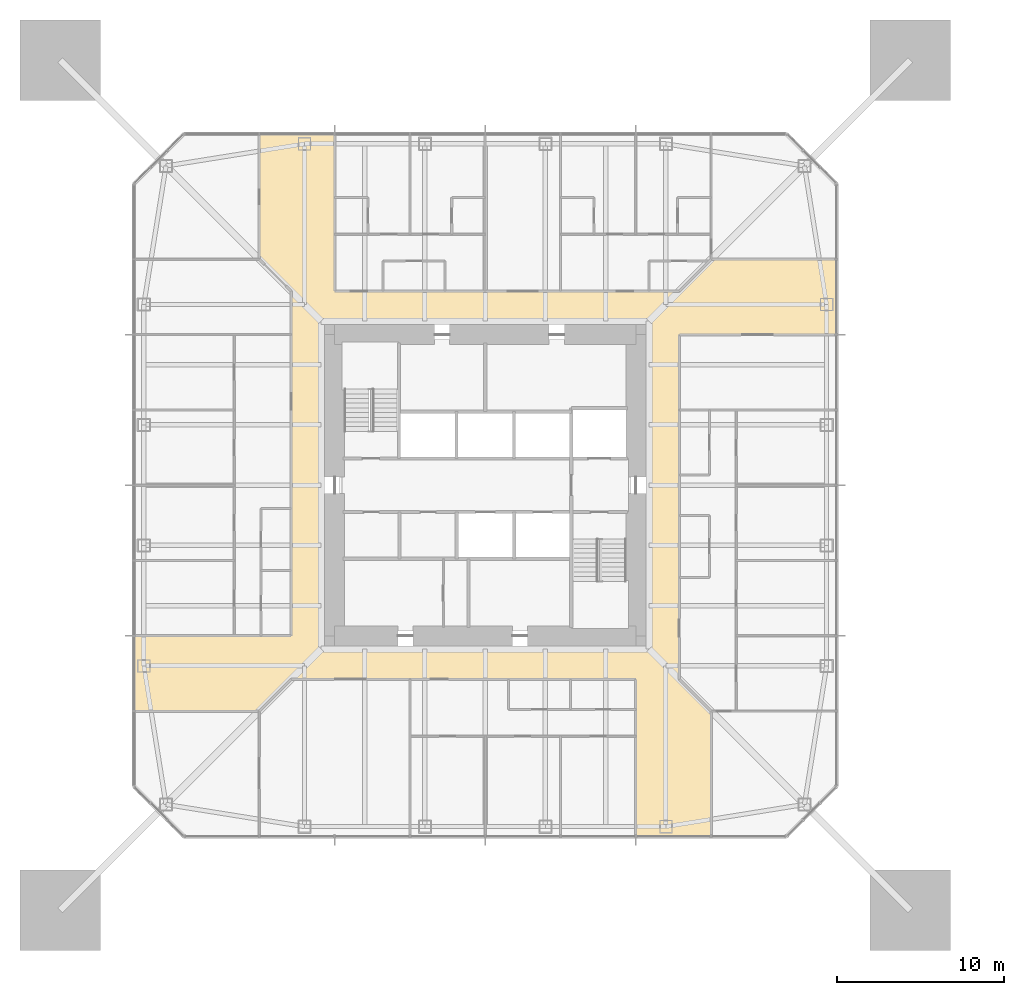
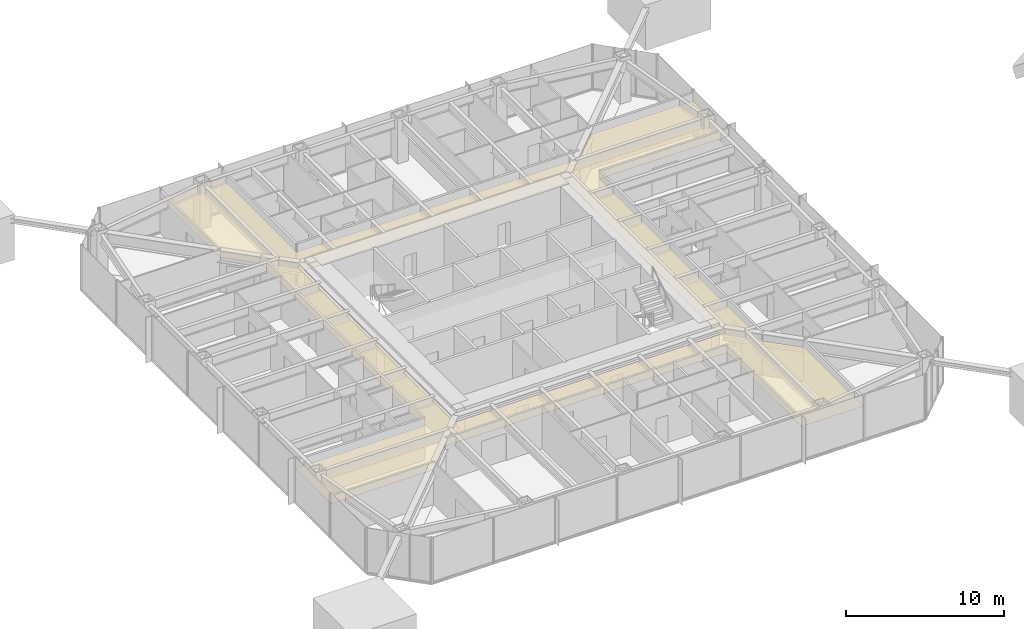
# One storey, part 22 of 25: 1 covering.
"""IFC4 building model written with IfcOpenShell, lengths in metres."""

from ifc_helpers import new_model, si_unit, direction, frame, origin, place, context, subcontext, project, spatial, polyline, outline, extrude, material, layer, layer_set, type_object, element, save


model = new_model("IFC4")

# Units and contexts
model_context = context("Model", 3, precision=1e-05, world=origin(), true_north=direction((0.0, 1.0)))
body_context = subcontext(model_context, "Body", "Model", "MODEL_VIEW")
ifc_project = project(units=[si_unit("LENGTHUNIT", "METRE"), si_unit("AREAUNIT", "SQUARE_METRE"), si_unit("VOLUMEUNIT", "CUBIC_METRE"), si_unit("PLANEANGLEUNIT", "RADIAN"), si_unit("MASSUNIT", "GRAM", prefix="KILO")], contexts=[model_context])

# Site, building, storey
site_placement = place(None, origin())
site = spatial("IfcSite", under=ifc_project, at=site_placement, CompositionType="ELEMENT")
building_placement = place(site_placement, origin())
building = spatial("IfcBuilding", under=site, at=building_placement, Name="Iwan Alto Co-Living Towers", CompositionType="ELEMENT")
storey_placement = place(building_placement, frame((0.0, 0.0, 108.5)))
storey = spatial("IfcBuildingStorey", under=building, at=storey_placement, Name="L29", CompositionType="ELEMENT", Elevation=108.5)

# Covering
ifc_material = material(Name="Gypsum plasterboard on steel grid", Category="steel")
ifc_layer = layer(ifc_material, 0.014892578125)
ifc_layer_set = layer_set([ifc_layer], Name="SUSPENDED PLASTERBOARD CEILING 15")
covering_type = type_object("IfcCoveringType", Name="SUSPENDED PLASTERBOARD CEILING 15", PredefinedType="CEILING", material=ifc_layer_set)
covering_placement = place(storey_placement, frame((0.0, 0.0, 2.60009765625)))
element("IfcCovering", 1, at=covering_placement, inside=storey, type_object=covering_type, Name="Ceiling Corridor L29", PredefinedType="CEILING", context=body_context, shape_type="SweptSolid", body=[
    extrude(outline(polyline([(13.5, -21.0), (9.0, -21.0), (9.0, -11.60009765625), (-11.60009765625, -11.60009765625), (-13.5, -13.5), (-21.0, -13.5), (-21.0, -9.0), (-11.60009765625, -9.0), (-11.60009765625, 11.60009765625), (-13.5, 13.5), (-13.5, 21.0), (-9.0, 21.0), (-9.0, 11.60009765625), (11.60009765625, 11.60009765625), (13.5, 13.5), (21.0, 13.5), (21.0, 9.0), (11.60009765625, 9.0), (11.60009765625, -11.60009765625), (13.5, -13.5), (13.5, -21.0)]), holes=[polyline([(9.60009765625, -9.60009765625), (9.60009765625, 9.60009765625), (-9.60009765625, 9.60009765625), (-9.60009765625, -9.60009765625), (9.60009765625, -9.60009765625)])]), origin(), (0.0, 0.0, 1.0), 0.014892578125),
])

save(model, "model.ifc")
